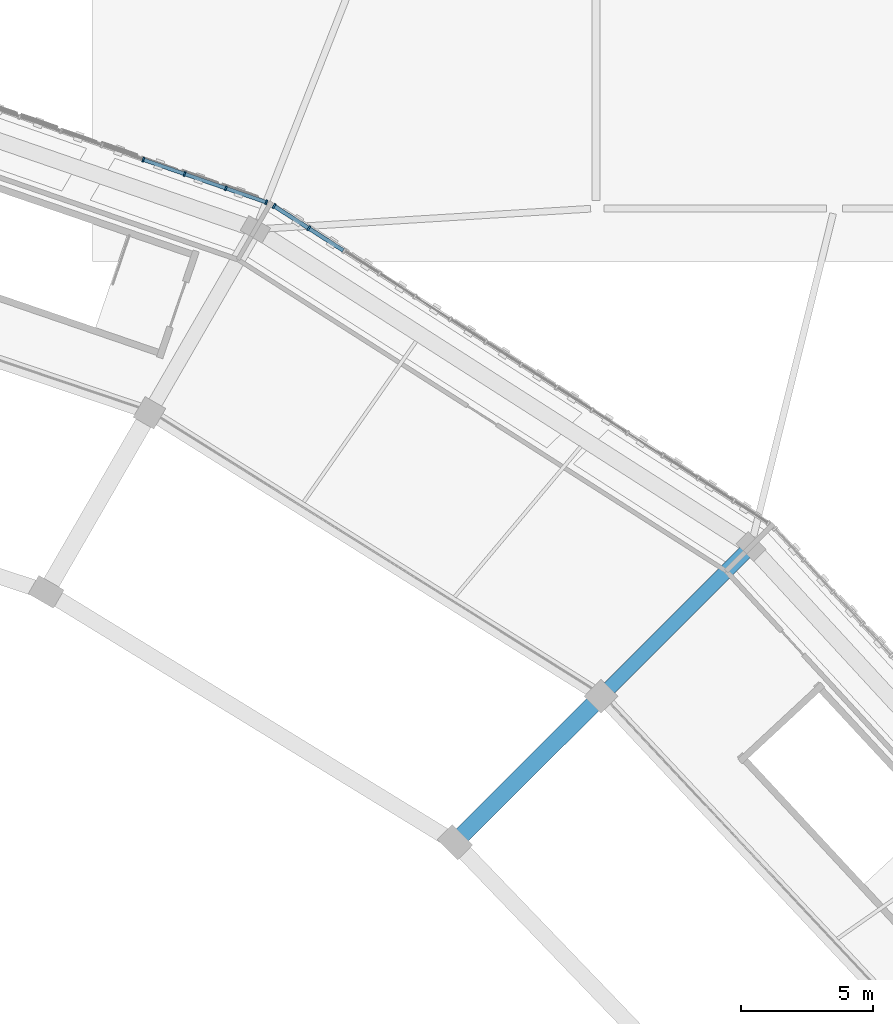
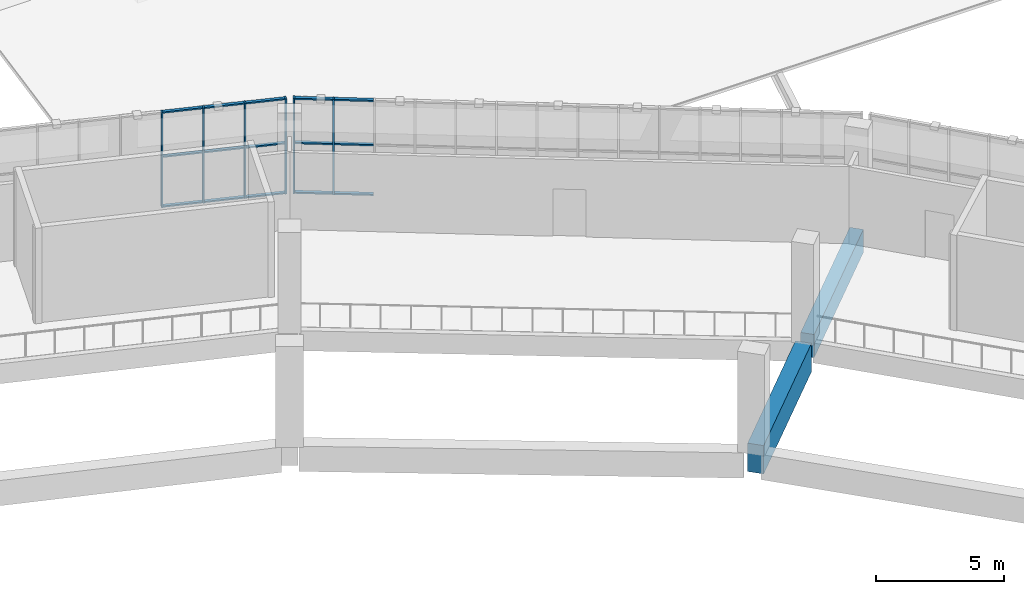
# One storey, part 43 of 108: 21 members, 2 beams, 2 elements without a shape of their own.
"""IFC4 building model written with IfcOpenShell, lengths in metres."""

from ifc_helpers import new_model, si_unit, direction, frame, origin, origin_2d, place, context, subcontext, project, spatial, rectangle, extrude, material, material_profile, profile_set, type_object, element, aggregate, save


model = new_model("IFC4")

# Units and contexts
model_context = context("Model", 3, precision=1e-05, world=origin(), true_north=direction((0.0, 1.0)))
body_context = subcontext(model_context, "Body", "Model", "MODEL_VIEW")
ifc_project = project(units=[si_unit("LENGTHUNIT", "METRE"), si_unit("AREAUNIT", "SQUARE_METRE"), si_unit("VOLUMEUNIT", "CUBIC_METRE"), si_unit("PLANEANGLEUNIT", "RADIAN"), si_unit("MASSUNIT", "GRAM", prefix="KILO")], contexts=[model_context])

# Site, building, storey
site_placement = place(None, origin())
site = spatial("IfcSite", under=ifc_project, at=site_placement, CompositionType="ELEMENT")
building_placement = place(site_placement, origin())
building = spatial("IfcBuilding", under=site, at=building_placement, Name="Zevraka Park Crest Stadium", CompositionType="ELEMENT")
storey_placement = place(building_placement, frame((0.0, 0.0, 19.800048828125)))
storey = spatial("IfcBuildingStorey", under=building, at=storey_placement, Name="L04", CompositionType="ELEMENT", Elevation=19.800048828125)

# Beams
ifc_material_1 = material(Name="Concrete C40/50", Category="concrete")
ifc_material_profile_1 = material_profile(ifc_material_1, rectangle(XDim=0.64990234375, YDim=1.35009765625, at=origin_2d()), Name="RC 1350x650")
ifc_profile_set_1 = profile_set([ifc_material_profile_1], Name="Concrete C40/50")
beam_type_1 = type_object("IfcBeamType", Name="BG01", PredefinedType="BEAM", material=ifc_profile_set_1)
beam_1_placement = place(storey_placement, frame((164.89111328125, 134.284912109375, -0.68505859375), z_axis=(0.707157639372, 0.707055919343, 0.0), x_axis=(-0.707055919343, 0.707157639372, 0.0)))
element("IfcBeam", 1, at=beam_1_placement, inside=storey, type_object=beam_type_1, Name="Radial Girder BG01 L04-BC-03", PredefinedType="BEAM", context=body_context, shape_type="SweptSolid", body=[
    extrude(rectangle(XDim=0.64990234375, YDim=1.35009765625, at=origin_2d()), origin(), (0.0, 0.0, 1.0), 7.200439453125),
])
ifc_material_2 = material(Name="Concrete C40/50", Category="concrete")
ifc_material_profile_2 = material_profile(ifc_material_2, rectangle(XDim=0.550048828125, YDim=1.10009765625, at=origin_2d()), Name="RC 1100x550")
ifc_profile_set_2 = profile_set([ifc_material_profile_2], Name="Concrete C40/50")
beam_type_2 = type_object("IfcBeamType", Name="BG02", PredefinedType="BEAM", material=ifc_profile_set_2)
beam_2_placement = place(storey_placement, frame((170.406982421875, 139.800048828125, -0.56005859375), z_axis=(0.707106781187, 0.707106781187, 0.0), x_axis=(-0.707106781187, 0.707106781187, 0.0)))
element("IfcBeam", 2, at=beam_2_placement, inside=storey, type_object=beam_type_2, Name="Radial Girder BG02 L04-CD-03", PredefinedType="BEAM", context=body_context, shape_type="SweptSolid", body=[
    extrude(rectangle(XDim=0.550048828125, YDim=1.10009765625, at=origin_2d()), origin(), (0.0, 0.0, 1.0), 7.400390625),
])

# Curtain wall, members
ifc_material_3 = material(Name="Anodised architectural aluminium and laminated safety glass", Category="aluminium")
curtain_wall_type_1 = type_object("IfcCurtainWallType", Name="CW17", PredefinedType="NOTDEFINED", material=ifc_material_3)
curtain_wall_1_placement = place(storey_placement, origin())
curtain_wall_1 = element("IfcCurtainWall", 3, at=curtain_wall_1_placement, inside=storey, type_object=curtain_wall_type_1, Name="Unitised Ring Curtain Wall CW17 L04-04", PredefinedType="NOTDEFINED")
ifc_material_4 = material(Name="Anodised architectural aluminium", Category="aluminium")
ifc_material_profile_3 = material_profile(ifc_material_4, rectangle(XDim=0.179931640625, YDim=0.06494140625, at=origin_2d()), Name="ALU MULLION 180x65")
ifc_profile_set_3 = profile_set([ifc_material_profile_3], Name="Anodised architectural aluminium")
member_type_1 = type_object("IfcMemberType", Name="CM02", PredefinedType="MULLION", material=ifc_profile_set_3)
member_1_placement = place(storey_placement, frame((157.561279296875, 158.231689453125, 0.0), z_axis=(0.0, 0.0, 1.0), x_axis=(-0.327244524523, -0.944939691816, 0.0)))
member_1 = element("IfcMember", 4, at=member_1_placement, type_object=member_type_1, Name="CW17 mullion 1", PredefinedType="MULLION", context=body_context, shape_type="SweptSolid", body=[
    extrude(rectangle(XDim=0.179931640625, YDim=0.06494140625, at=origin_2d()), origin(), (0.0, 0.0, 1.0), 4.5400390625),
])
member_2_placement = place(storey_placement, frame((156.03466796875, 158.76025390625, 0.0), z_axis=(0.0, 0.0, 1.0), x_axis=(-0.327244524523, -0.944939691816, 0.0)))
member_2 = element("IfcMember", 5, at=member_2_placement, type_object=member_type_1, Name="CW17 mullion 2", PredefinedType="MULLION", context=body_context, shape_type="SweptSolid", body=[
    extrude(rectangle(XDim=0.179931640625, YDim=0.06494140625, at=origin_2d()), origin(), (0.0, 0.0, 1.0), 4.5400390625),
])
member_3_placement = place(storey_placement, frame((154.47705078125, 159.2998046875, 0.0), z_axis=(0.0, 0.0, 1.0), x_axis=(-0.327244524523, -0.944939691816, 0.0)))
member_3 = element("IfcMember", 6, at=member_3_placement, type_object=member_type_1, Name="CW17 mullion 3", PredefinedType="MULLION", context=body_context, shape_type="SweptSolid", body=[
    extrude(rectangle(XDim=0.179931640625, YDim=0.06494140625, at=origin_2d()), origin(), (0.0, 0.0, 1.0), 4.5400390625),
])
member_4_placement = place(storey_placement, frame((152.919677734375, 159.839111328125, 0.0), z_axis=(0.0, 0.0, 1.0), x_axis=(-0.327244524523, -0.944939691816, 0.0)))
member_4 = element("IfcMember", 7, at=member_4_placement, type_object=member_type_1, Name="CW17 mullion 4", PredefinedType="MULLION", context=body_context, shape_type="SweptSolid", body=[
    extrude(rectangle(XDim=0.179931640625, YDim=0.06494140625, at=origin_2d()), origin(), (0.0, 0.0, 1.0), 4.5400390625),
])

ifc_material_5 = material(Name="Anodised architectural aluminium and laminated safety glass", Category="aluminium")
curtain_wall_type_2 = type_object("IfcCurtainWallType", Name="CW18", PredefinedType="NOTDEFINED", material=ifc_material_5)
curtain_wall_2_placement = place(storey_placement, origin())
curtain_wall_2 = element("IfcCurtainWall", 8, at=curtain_wall_2_placement, inside=storey, type_object=curtain_wall_type_2, Name="Unitised Ring Curtain Wall CW18 L04-03", PredefinedType="NOTDEFINED")
ifc_material_6 = material(Name="Anodised architectural aluminium", Category="aluminium")
ifc_material_profile_4 = material_profile(ifc_material_6, rectangle(XDim=0.199951171875, YDim=0.070068359375, at=origin_2d()), Name="ALU MULLION 200x70")
ifc_profile_set_4 = profile_set([ifc_material_profile_4], Name="Anodised architectural aluminium")
member_type_2 = type_object("IfcMemberType", Name="CM03", PredefinedType="MULLION", material=ifc_profile_set_4)
member_5_placement = place(storey_placement, frame((159.16162109375, 157.25048828125, 0.0), z_axis=(0.0, 0.0, 1.0), x_axis=(-0.539979944029, -0.841677883781, 0.0)))
member_5 = element("IfcMember", 9, at=member_5_placement, type_object=member_type_2, Name="CW18 mullion 14", PredefinedType="MULLION", context=body_context, shape_type="SweptSolid", body=[
    extrude(rectangle(XDim=0.199951171875, YDim=0.070068359375, at=origin_2d()), origin(), (0.0, 0.0, 1.0), 4.5400390625),
])
member_6_placement = place(storey_placement, frame((157.8544921875, 158.089111328125, 0.0), z_axis=(0.0, 0.0, 1.0), x_axis=(-0.539979944029, -0.841677883781, 0.0)))
member_6 = element("IfcMember", 10, at=member_6_placement, type_object=member_type_2, Name="CW18 mullion 15", PredefinedType="MULLION", context=body_context, shape_type="SweptSolid", body=[
    extrude(rectangle(XDim=0.199951171875, YDim=0.070068359375, at=origin_2d()), origin(), (0.0, 0.0, 1.0), 4.5400390625),
])

# Member
ifc_material_7 = material(Name="Anodised architectural aluminium", Category="aluminium")
ifc_material_profile_5 = material_profile(ifc_material_7, rectangle(XDim=0.139892578125, YDim=0.06494140625, at=origin_2d()), Name="ALU TRANSOM 140x65")
ifc_profile_set_5 = profile_set([ifc_material_profile_5], Name="Anodised architectural aluminium")
member_type_3 = type_object("IfcMemberType", Name="CT02", PredefinedType="USERDEFINED", material=ifc_profile_set_5)
member_7_placement = place(storey_placement, frame((157.530517578125, 158.2421875, 0.032470703125), z_axis=(-0.944918670821, 0.3273052177, 0.0), x_axis=(-0.3273052177, -0.944918670821, 0.0)))
member_7 = element("IfcMember", 11, at=member_7_placement, type_object=member_type_3, Name="CW17 transom 1.1", ObjectType="TRANSOM", PredefinedType="USERDEFINED", context=body_context, shape_type="SweptSolid", body=[
    extrude(rectangle(XDim=0.139892578125, YDim=0.06494140625, at=origin_2d()), origin(), (0.0, 0.0, 1.0), 1.55078125),
])

member_8_placement = place(storey_placement, frame((157.530517578125, 158.2421875, 2.39990234375), z_axis=(-0.944918670821, 0.3273052177, 0.0), x_axis=(-0.3273052177, -0.944918670821, 0.0)))
member_8 = element("IfcMember", 12, at=member_8_placement, type_object=member_type_3, Name="CW17 transom 1.2", ObjectType="TRANSOM", PredefinedType="USERDEFINED", context=body_context, shape_type="SweptSolid", body=[
    extrude(rectangle(XDim=0.139892578125, YDim=0.06494140625, at=origin_2d()), origin(), (0.0, 0.0, 1.0), 1.55078125),
])

member_9_placement = place(storey_placement, frame((157.530517578125, 158.2421875, 4.507568359375), z_axis=(-0.944918670821, 0.3273052177, 0.0), x_axis=(-0.3273052177, -0.944918670821, 0.0)))
member_9 = element("IfcMember", 13, at=member_9_placement, type_object=member_type_3, Name="CW17 transom 1.3", ObjectType="TRANSOM", PredefinedType="USERDEFINED", context=body_context, shape_type="SweptSolid", body=[
    extrude(rectangle(XDim=0.139892578125, YDim=0.06494140625, at=origin_2d()), origin(), (0.0, 0.0, 1.0), 1.55078125),
])

member_10_placement = place(storey_placement, frame((156.00390625, 158.77099609375, 0.032470703125), z_axis=(-0.94494940126, 0.327216486533, 0.0), x_axis=(-0.327216486533, -0.94494940126, 0.0)))
member_10 = element("IfcMember", 14, at=member_10_placement, type_object=member_type_3, Name="CW17 transom 2.1", ObjectType="TRANSOM", PredefinedType="USERDEFINED", context=body_context, shape_type="SweptSolid", body=[
    extrude(rectangle(XDim=0.139892578125, YDim=0.06494140625, at=origin_2d()), origin(), (0.0, 0.0, 1.0), 1.583251953125),
])

member_11_placement = place(storey_placement, frame((156.00390625, 158.77099609375, 2.39990234375), z_axis=(-0.94494940126, 0.327216486533, 0.0), x_axis=(-0.327216486533, -0.94494940126, 0.0)))
member_11 = element("IfcMember", 15, at=member_11_placement, type_object=member_type_3, Name="CW17 transom 2.2", ObjectType="TRANSOM", PredefinedType="USERDEFINED", context=body_context, shape_type="SweptSolid", body=[
    extrude(rectangle(XDim=0.139892578125, YDim=0.06494140625, at=origin_2d()), origin(), (0.0, 0.0, 1.0), 1.583251953125),
])

member_12_placement = place(storey_placement, frame((156.00390625, 158.77099609375, 4.507568359375), z_axis=(-0.94494940126, 0.327216486533, 0.0), x_axis=(-0.327216486533, -0.94494940126, 0.0)))
member_12 = element("IfcMember", 16, at=member_12_placement, type_object=member_type_3, Name="CW17 transom 2.3", ObjectType="TRANSOM", PredefinedType="USERDEFINED", context=body_context, shape_type="SweptSolid", body=[
    extrude(rectangle(XDim=0.139892578125, YDim=0.06494140625, at=origin_2d()), origin(), (0.0, 0.0, 1.0), 1.583251953125),
])

member_13_placement = place(storey_placement, frame((154.446533203125, 159.310302734375, 0.032470703125), z_axis=(-0.94494940126, 0.327216486533, 0.0), x_axis=(-0.327216486533, -0.94494940126, 0.0)))
member_13 = element("IfcMember", 17, at=member_13_placement, type_object=member_type_3, Name="CW17 transom 3.1", ObjectType="TRANSOM", PredefinedType="USERDEFINED", context=body_context, shape_type="SweptSolid", body=[
    extrude(rectangle(XDim=0.139892578125, YDim=0.06494140625, at=origin_2d()), origin(), (0.0, 0.0, 1.0), 1.583251953125),
])

member_14_placement = place(storey_placement, frame((154.446533203125, 159.310302734375, 2.39990234375), z_axis=(-0.94494940126, 0.327216486533, 0.0), x_axis=(-0.327216486533, -0.94494940126, 0.0)))
member_14 = element("IfcMember", 18, at=member_14_placement, type_object=member_type_3, Name="CW17 transom 3.2", ObjectType="TRANSOM", PredefinedType="USERDEFINED", context=body_context, shape_type="SweptSolid", body=[
    extrude(rectangle(XDim=0.139892578125, YDim=0.06494140625, at=origin_2d()), origin(), (0.0, 0.0, 1.0), 1.583251953125),
])

member_15_placement = place(storey_placement, frame((154.446533203125, 159.310302734375, 4.507568359375), z_axis=(-0.94494940126, 0.327216486533, 0.0), x_axis=(-0.327216486533, -0.94494940126, 0.0)))
member_15 = element("IfcMember", 19, at=member_15_placement, type_object=member_type_3, Name="CW17 transom 3.3", ObjectType="TRANSOM", PredefinedType="USERDEFINED", context=body_context, shape_type="SweptSolid", body=[
    extrude(rectangle(XDim=0.139892578125, YDim=0.06494140625, at=origin_2d()), origin(), (0.0, 0.0, 1.0), 1.583251953125),
])

aggregate(curtain_wall_1, [member_1, member_2, member_3, member_4, member_7, member_8, member_9, member_10, member_11, member_12, member_13, member_14, member_15])

ifc_material_8 = material(Name="Anodised architectural aluminium", Category="aluminium")
ifc_material_profile_6 = material_profile(ifc_material_8, rectangle(XDim=0.14990234375, YDim=0.070068359375, at=origin_2d()), Name="ALU TRANSOM 150x70")
ifc_profile_set_6 = profile_set([ifc_material_profile_6], Name="Anodised architectural aluminium")
member_type_4 = type_object("IfcMemberType", Name="CT03", PredefinedType="USERDEFINED", material=ifc_profile_set_6)
member_16_placement = place(storey_placement, frame((160.468994140625, 156.411865234375, 0.034912109375), z_axis=(-0.841742345783, 0.539879452578, 0.0), x_axis=(-0.539879452578, -0.841742345783, 0.0)))
member_16 = element("IfcMember", 20, at=member_16_placement, type_object=member_type_4, Name="CW18 transom 13.1", ObjectType="TRANSOM", PredefinedType="USERDEFINED", context=body_context, shape_type="SweptSolid", body=[
    extrude(rectangle(XDim=0.14990234375, YDim=0.070068359375, at=origin_2d()), origin(), (0.0, 0.0, 1.0), 1.51806640625),
])

member_17_placement = place(storey_placement, frame((160.468994140625, 156.411865234375, 2.39990234375), z_axis=(-0.841742345783, 0.539879452578, 0.0), x_axis=(-0.539879452578, -0.841742345783, 0.0)))
member_17 = element("IfcMember", 21, at=member_17_placement, type_object=member_type_4, Name="CW18 transom 13.2", ObjectType="TRANSOM", PredefinedType="USERDEFINED", context=body_context, shape_type="SweptSolid", body=[
    extrude(rectangle(XDim=0.14990234375, YDim=0.070068359375, at=origin_2d()), origin(), (0.0, 0.0, 1.0), 1.51806640625),
])

member_18_placement = place(storey_placement, frame((160.468994140625, 156.411865234375, 4.5048828125), z_axis=(-0.841742345783, 0.539879452578, 0.0), x_axis=(-0.539879452578, -0.841742345783, 0.0)))
member_18 = element("IfcMember", 22, at=member_18_placement, type_object=member_type_4, Name="CW18 transom 13.3", ObjectType="TRANSOM", PredefinedType="USERDEFINED", context=body_context, shape_type="SweptSolid", body=[
    extrude(rectangle(XDim=0.14990234375, YDim=0.070068359375, at=origin_2d()), origin(), (0.0, 0.0, 1.0), 1.51806640625),
])

member_19_placement = place(storey_placement, frame((159.13232421875, 157.269287109375, 0.034912109375), z_axis=(-0.84162208892, 0.540066902747, 0.0), x_axis=(-0.540066902747, -0.84162208892, 0.0)))
member_19 = element("IfcMember", 23, at=member_19_placement, type_object=member_type_4, Name="CW18 transom 14.1", ObjectType="TRANSOM", PredefinedType="USERDEFINED", context=body_context, shape_type="SweptSolid", body=[
    extrude(rectangle(XDim=0.14990234375, YDim=0.070068359375, at=origin_2d()), origin(), (0.0, 0.0, 1.0), 1.483154296875),
])

member_20_placement = place(storey_placement, frame((159.13232421875, 157.269287109375, 2.39990234375), z_axis=(-0.84162208892, 0.540066902747, 0.0), x_axis=(-0.540066902747, -0.84162208892, 0.0)))
member_20 = element("IfcMember", 24, at=member_20_placement, type_object=member_type_4, Name="CW18 transom 14.2", ObjectType="TRANSOM", PredefinedType="USERDEFINED", context=body_context, shape_type="SweptSolid", body=[
    extrude(rectangle(XDim=0.14990234375, YDim=0.070068359375, at=origin_2d()), origin(), (0.0, 0.0, 1.0), 1.483154296875),
])

member_21_placement = place(storey_placement, frame((159.13232421875, 157.269287109375, 4.5048828125), z_axis=(-0.84162208892, 0.540066902747, 0.0), x_axis=(-0.540066902747, -0.84162208892, 0.0)))
member_21 = element("IfcMember", 25, at=member_21_placement, type_object=member_type_4, Name="CW18 transom 14.3", ObjectType="TRANSOM", PredefinedType="USERDEFINED", context=body_context, shape_type="SweptSolid", body=[
    extrude(rectangle(XDim=0.14990234375, YDim=0.070068359375, at=origin_2d()), origin(), (0.0, 0.0, 1.0), 1.483154296875),
])

aggregate(curtain_wall_2, [member_5, member_6, member_16, member_17, member_18, member_19, member_20, member_21])

save(model, "model.ifc")
